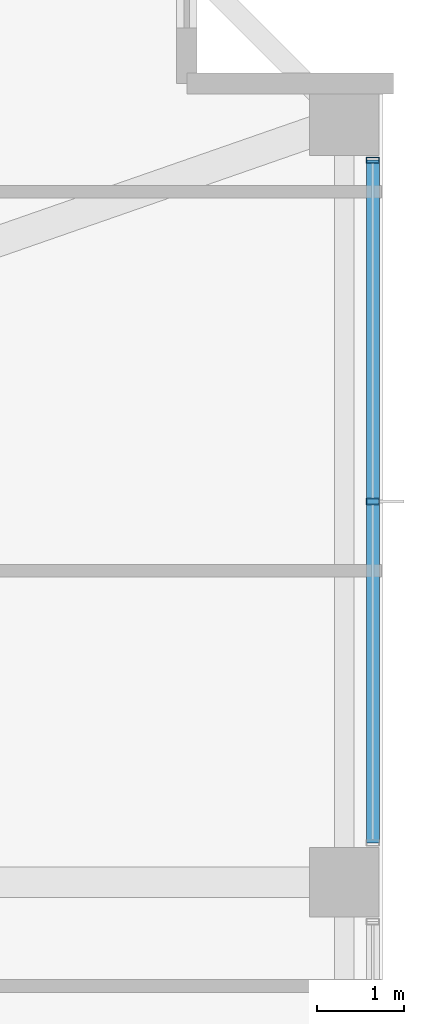
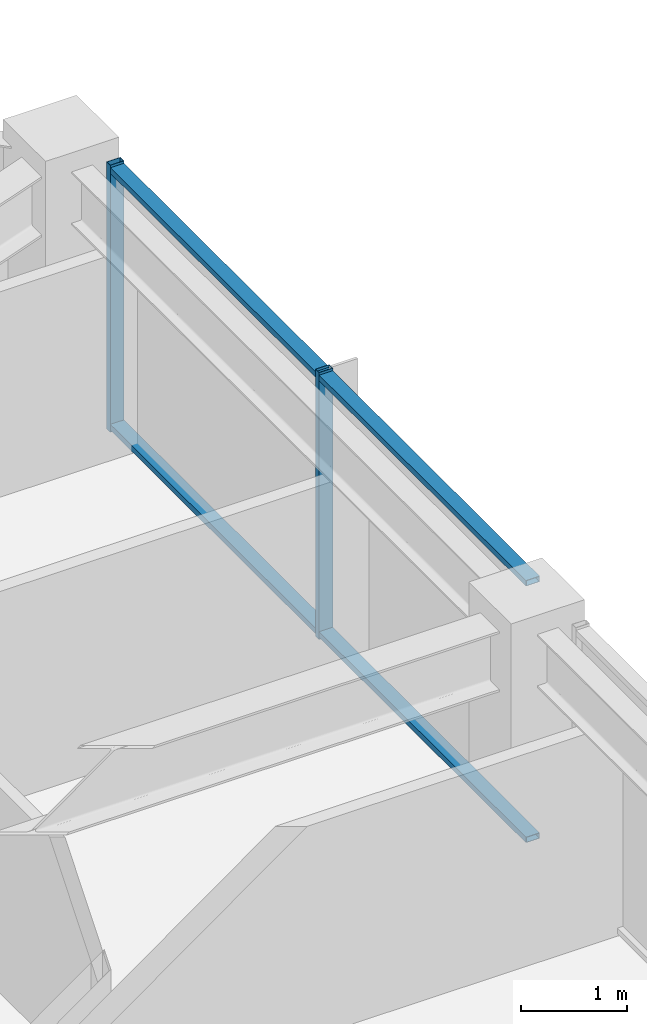
# One storey, part 21 of 36: 4 members, 1 element without a shape of its own.
"""IFC4 building model written with IfcOpenShell, lengths in metres."""

from ifc_helpers import new_model, si_unit, direction, frame, origin, origin_2d, place, context, subcontext, project, spatial, hollow_rectangle, extrude, material, material_profile, profile_set, type_object, element, aggregate, save


model = new_model("IFC4")

# Units and contexts
model_context = context("Model", 3, precision=1e-05, world=origin(), true_north=direction((0.0, 1.0)))
body_context = subcontext(model_context, "Body", "Model", "MODEL_VIEW")
ifc_project = project(units=[si_unit("LENGTHUNIT", "METRE"), si_unit("AREAUNIT", "SQUARE_METRE"), si_unit("VOLUMEUNIT", "CUBIC_METRE"), si_unit("PLANEANGLEUNIT", "RADIAN"), si_unit("MASSUNIT", "GRAM", prefix="KILO")], contexts=[model_context])

# Site, building, storey
site_placement = place(None, origin())
site = spatial("IfcSite", under=ifc_project, at=site_placement, CompositionType="ELEMENT")
building_placement = place(site_placement, origin())
building = spatial("IfcBuilding", under=site, at=building_placement, Name="Kolvaren Belvedere", CompositionType="ELEMENT")
storey_placement = place(building_placement, frame((0.0, 0.0, 193.199951171875)))
storey = spatial("IfcBuildingStorey", under=building, at=storey_placement, Name="L56", CompositionType="ELEMENT", Elevation=193.199951171875)

# Curtain wall, members
ifc_material_1 = material(Name="Anodised pale-metal aluminium AA 6063-T6", Category="aluminium")
curtain_wall_type = type_object("IfcCurtainWallType", Name="CW-Z5-HIGH", PredefinedType="NOTDEFINED", material=ifc_material_1)
curtain_wall_placement = place(storey_placement, origin())
curtain_wall = element("IfcCurtainWall", 1, at=curtain_wall_placement, inside=storey, type_object=curtain_wall_type, Name="L56 Unitised Curtain Wall FCW-L56-E-B1", PredefinedType="NOTDEFINED")
ifc_material_2 = material(Name="Anodised pale-metal aluminium AA 6063-T6", Category="aluminium")
ifc_material_profile_1 = material_profile(ifc_material_2, hollow_rectangle(XDim=0.070068359375, YDim=0.14990234375, WallThickness=0.004150390625, at=origin_2d()), Name="ALU-MUL-150X70")
ifc_profile_set_1 = profile_set([ifc_material_profile_1], Name="Anodised pale-metal aluminium AA 6063-T6")
member_type_1 = type_object("IfcMemberType", Name="CW-MUL-150", PredefinedType="MULLION", material=ifc_profile_set_1)
member_1_placement = place(storey_placement, frame((20.280029296875, 12.945068359375, 0.0), z_axis=(0.0, 0.0, 1.0), x_axis=(0.0, 1.0, 0.0)))
member_1 = element("IfcMember", 2, at=member_1_placement, type_object=member_type_1, Name="FCW-L56-E-B1 Unitised Mullion 1", PredefinedType="MULLION", context=body_context, shape_type="SweptSolid", body=[
    extrude(hollow_rectangle(XDim=0.070068359375, YDim=0.14990234375, WallThickness=0.004150390625, at=origin_2d()), origin(), (0.0, 0.0, 1.0), 3.080078125),
])
member_2_placement = place(storey_placement, frame((20.280029296875, 9.0, 0.0), z_axis=(0.0, 0.0, 1.0), x_axis=(0.0, 1.0, 0.0)))
member_2 = element("IfcMember", 3, at=member_2_placement, type_object=member_type_1, Name="FCW-L56-E-B1 Unitised Mullion 2", PredefinedType="MULLION", context=body_context, shape_type="SweptSolid", body=[
    extrude(hollow_rectangle(XDim=0.070068359375, YDim=0.14990234375, WallThickness=0.004150390625, at=origin_2d()), origin(), (0.0, 0.0, 1.0), 3.080078125),
])
ifc_material_3 = material(Name="Anodised pale-metal aluminium AA 6063-T6", Category="aluminium")
ifc_material_profile_2 = material_profile(ifc_material_3, hollow_rectangle(XDim=0.06494140625, YDim=0.14990234375, WallThickness=0.00390625, at=origin_2d()), Name="ALU-TRN-150X65")
ifc_profile_set_2 = profile_set([ifc_material_profile_2], Name="Anodised pale-metal aluminium AA 6063-T6")
member_type_2 = type_object("IfcMemberType", Name="CW-TRN-150", PredefinedType="USERDEFINED", material=ifc_profile_set_2)
member_3_placement = place(storey_placement, frame((20.280029296875, 12.945068359375, 0.06005859375), z_axis=(0.0, -1.0, 0.0), x_axis=(0.0, 0.0, 1.0)))
member_3 = element("IfcMember", 4, at=member_3_placement, type_object=member_type_2, Name="FCW-L56-E-B1 Sill Transom", ObjectType="TRANSOM", PredefinedType="USERDEFINED", context=body_context, shape_type="SweptSolid", body=[
    extrude(hollow_rectangle(XDim=0.06494140625, YDim=0.14990234375, WallThickness=0.00390625, at=origin_2d()), origin(), (0.0, 0.0, 1.0), 7.89013671875),
])
member_4_placement = place(storey_placement, frame((20.280029296875, 12.945068359375, 3.02001953125), z_axis=(0.0, -1.0, 0.0), x_axis=(0.0, 0.0, 1.0)))
member_4 = element("IfcMember", 5, at=member_4_placement, type_object=member_type_2, Name="FCW-L56-E-B1 Head Transom", ObjectType="TRANSOM", PredefinedType="USERDEFINED", context=body_context, shape_type="SweptSolid", body=[
    extrude(hollow_rectangle(XDim=0.06494140625, YDim=0.14990234375, WallThickness=0.00390625, at=origin_2d()), origin(), (0.0, 0.0, 1.0), 7.89013671875),
])
aggregate(curtain_wall, [member_1, member_2, member_3, member_4])

save(model, "model.ifc")
